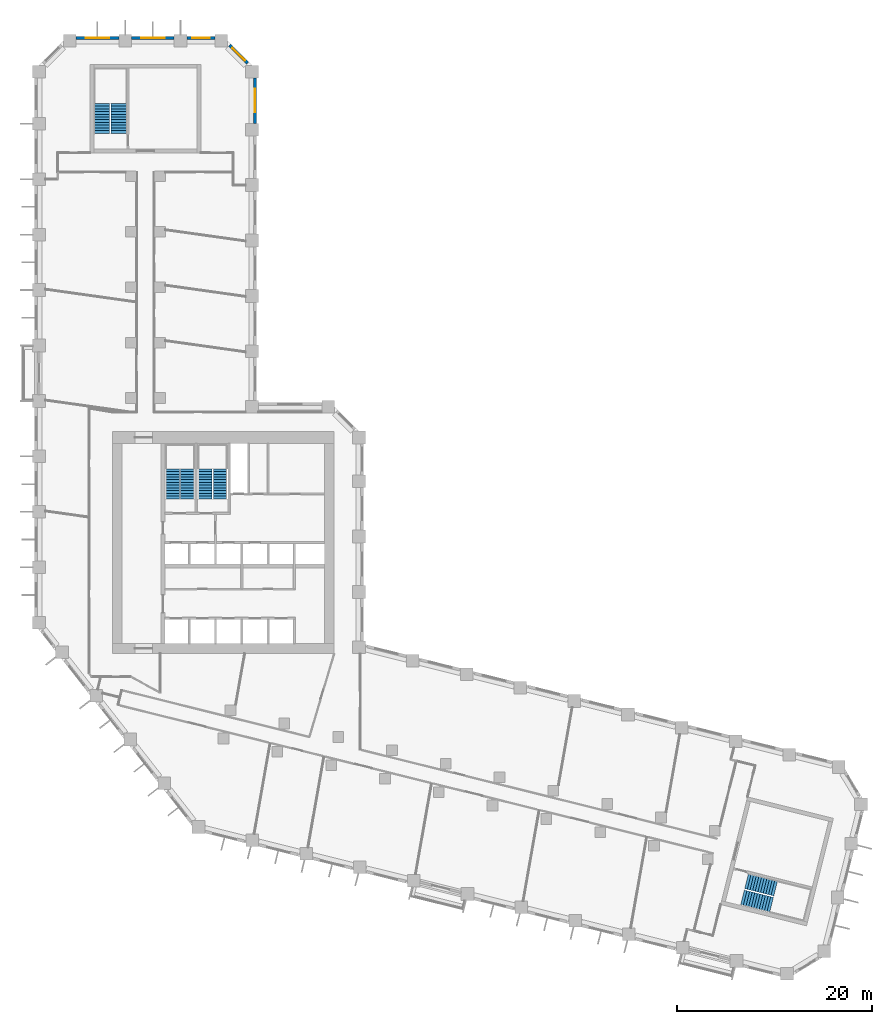
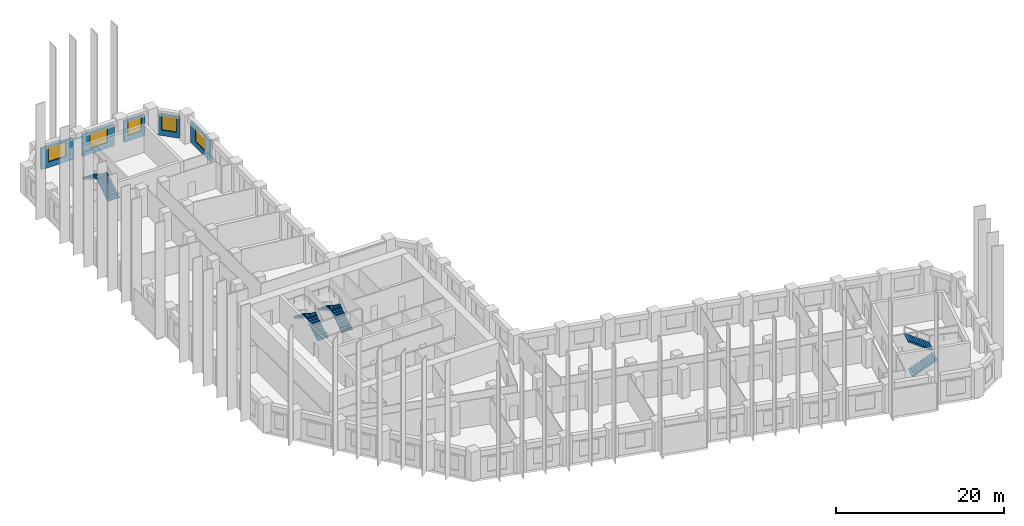
# One storey, part 9 of 10: 8 stair flights, 5 walls, 5 windows, 5 openings, 4 elements without a shape of their own.
"""IFC4 building model written with IfcOpenShell, lengths in metres."""

from ifc_helpers import new_model, si_unit, direction, frame, frame_2d, origin, place, context, subcontext, project, spatial, polyline, rectangle, outline, extrude, material, layer, layer_set, type_object, element, fill, aggregate, save


model = new_model("IFC4")

# Units and contexts
model_context = context("Model", 3, precision=1e-05, world=origin(), true_north=direction((0.0, 1.0)))
body_context = subcontext(model_context, "Body", "Model", "MODEL_VIEW")
ifc_project = project(units=[si_unit("LENGTHUNIT", "METRE"), si_unit("AREAUNIT", "SQUARE_METRE"), si_unit("VOLUMEUNIT", "CUBIC_METRE"), si_unit("PLANEANGLEUNIT", "RADIAN"), si_unit("MASSUNIT", "GRAM", prefix="KILO")], contexts=[model_context])

# Site, building, storey
site_placement = place(None, origin())
site = spatial("IfcSite", under=ifc_project, at=site_placement, CompositionType="ELEMENT")
building_placement = place(site_placement, origin())
building = spatial("IfcBuilding", under=site, at=building_placement, Name="Meshkara Civic Tower", CompositionType="ELEMENT")
storey_placement = place(building_placement, frame((0.0, 0.0, 114.0)))
storey = spatial("IfcBuildingStorey", under=building, at=storey_placement, Name="L25", CompositionType="ELEMENT", Elevation=114.0)

# Wall, opening, window
ifc_material_1 = material(Name="Insulated infill panel with bronze anodised aluminium cladding", Category="aluminium")
ifc_layer = layer(ifc_material_1, 0.300048828125)
ifc_layer_set = layer_set([ifc_layer], Name="EXTERNAL INFILL WALL 300")
wall_type = type_object("IfcWallType", Name="EXTERNAL INFILL WALL 300", PredefinedType="SOLIDWALL", material=ifc_layer_set)
wall_1_placement = place(storey_placement, frame((22.64990234375, 68.60009765625, 0.0), z_axis=(0.0, 0.0, 1.0), x_axis=(0.0, 1.0, 0.0)))
wall_1 = element("IfcWall", 1, at=wall_1_placement, inside=storey, type_object=wall_type, Name="External wall", PredefinedType="SOLIDWALL", context=body_context, shape_type="SweptSolid", body=[
    extrude(rectangle(XDim=4.663818359375, YDim=0.300048828125, at=frame_2d((2.33203125, 0.0))), origin(), (0.0, 0.0, 1.0), 3.10009765625),
])
opening_1_placement = place(wall_1_placement, frame((1.132080078125, 0.0, 0.800048828125)))
opening_1 = element("IfcOpeningElement", 2, at=opening_1_placement, cuts=wall_1, Name="Opening W7", PredefinedType="OPENING", context=body_context, shape_type="SweptSolid", body=[
    extrude(rectangle(XDim=2.39990234375, YDim=2.10009765625, at=frame_2d((1.199951171875, 1.050048828125))), frame((0.0, 0.159912109375, 0.0), z_axis=(0.0, -1.0, 0.0), x_axis=(1.0, 0.0, 0.0)), (0.0, 0.0, 1.0), 0.320068359375),
])
ifc_material_2 = material(Name="Tinted double glazing", Category="glass")
window_type_1 = type_object("IfcWindowType", Name="WINDOW 2400x2100", PartitioningType="DOUBLE_PANEL_VERTICAL", PredefinedType="WINDOW", material=ifc_material_2)
window_1_placement = place(opening_1_placement, origin())
window_1 = element("IfcWindow", 3, at=window_1_placement, inside=storey, type_object=window_type_1, Name="Window", OverallHeight=2.10009765625, OverallWidth=2.39990234375, PartitioningType="DOUBLE_PANEL_VERTICAL", PredefinedType="WINDOW", context=body_context, shape_type="SweptSolid", body=[
    extrude(rectangle(XDim=2.39990234375, YDim=2.10009765625, at=frame_2d((1.199951171875, 1.050048828125))), frame((0.0, 0.030029296875, 0.0), z_axis=(0.0, -1.0, 0.0), x_axis=(1.0, 0.0, 0.0)), (0.0, 0.0, 1.0), 0.06005859375),
])
fill(opening_1, window_1)

wall_2_placement = place(storey_placement, frame((21.912109375, 74.77587890625, 0.0), z_axis=(0.0, 0.0, 1.0), x_axis=(-0.707106781187, 0.707106781187, 0.0)))
wall_2 = element("IfcWall", 4, at=wall_2_placement, inside=storey, type_object=wall_type, Name="External wall", PredefinedType="SOLIDWALL", context=body_context, shape_type="SweptSolid", body=[
    extrude(rectangle(XDim=2.625, YDim=0.300048828125, at=frame_2d((1.3125, 0.0))), origin(), (0.0, 0.0, 1.0), 3.10009765625),
])
opening_2_placement = place(wall_2_placement, frame((0.412109375, 0.0, 0.800048828125)))
opening_2 = element("IfcOpeningElement", 5, at=opening_2_placement, cuts=wall_2, Name="Opening W9", PredefinedType="OPENING", context=body_context, shape_type="SweptSolid", body=[
    extrude(rectangle(XDim=1.800048828125, YDim=2.10009765625, at=frame_2d((0.89990234375, 1.050048828125))), frame((0.0, 0.159912109375, 0.0), z_axis=(0.0, -1.0, 0.0), x_axis=(1.0, 0.0, 0.0)), (0.0, 0.0, 1.0), 0.320068359375),
])
ifc_material_3 = material(Name="Tinted double glazing", Category="glass")
window_type_2 = type_object("IfcWindowType", Name="WINDOW 1800x2100", PartitioningType="DOUBLE_PANEL_VERTICAL", PredefinedType="WINDOW", material=ifc_material_3)
window_2_placement = place(opening_2_placement, origin())
window_2 = element("IfcWindow", 6, at=window_2_placement, inside=storey, type_object=window_type_2, Name="Window", OverallHeight=2.10009765625, OverallWidth=1.800048828125, PartitioningType="DOUBLE_PANEL_VERTICAL", PredefinedType="WINDOW", context=body_context, shape_type="SweptSolid", body=[
    extrude(rectangle(XDim=1.800048828125, YDim=2.10009765625, at=frame_2d((0.89990234375, 1.050048828125))), frame((0.0, 0.030029296875, 0.0), z_axis=(0.0, -1.0, 0.0), x_axis=(1.0, 0.0, 0.0)), (0.0, 0.0, 1.0), 0.06005859375),
])
fill(opening_2, window_2)

wall_3_placement = place(storey_placement, frame((18.5439453125, 77.3701171875, 0.0), z_axis=(0.0, 0.0, 1.0), x_axis=(-1.0, 0.0, 0.0)))
wall_3 = element("IfcWall", 7, at=wall_3_placement, inside=storey, type_object=wall_type, Name="External wall", PredefinedType="SOLIDWALL", context=body_context, shape_type="SweptSolid", body=[
    extrude(rectangle(XDim=2.887939453125, YDim=0.300048828125, at=frame_2d((1.44384765625, 0.0))), origin(), (0.0, 0.0, 1.0), 3.10009765625),
])
opening_3_placement = place(wall_3_placement, frame((0.5439453125, 0.0, 0.800048828125)))
opening_3 = element("IfcOpeningElement", 8, at=opening_3_placement, cuts=wall_3, Name="Opening W9", PredefinedType="OPENING", context=body_context, shape_type="SweptSolid", body=[
    extrude(rectangle(XDim=1.800048828125, YDim=2.10009765625, at=frame_2d((0.89990234375, 1.050048828125))), frame((0.0, 0.159912109375, 0.0), z_axis=(0.0, -1.0, 0.0), x_axis=(1.0, 0.0, 0.0)), (0.0, 0.0, 1.0), 0.320068359375),
])
window_3_placement = place(opening_3_placement, origin())
window_3 = element("IfcWindow", 9, at=window_3_placement, inside=storey, type_object=window_type_2, Name="Window", OverallHeight=2.10009765625, OverallWidth=1.800048828125, PartitioningType="DOUBLE_PANEL_VERTICAL", PredefinedType="WINDOW", context=body_context, shape_type="SweptSolid", body=[
    extrude(rectangle(XDim=1.800048828125, YDim=2.10009765625, at=frame_2d((0.89990234375, 1.050048828125))), frame((0.0, 0.030029296875, 0.0), z_axis=(0.0, -1.0, 0.0), x_axis=(1.0, 0.0, 0.0)), (0.0, 0.0, 1.0), 0.06005859375),
])
fill(opening_3, window_3)

wall_4_placement = place(storey_placement, frame((14.35595703125, 77.3701171875, 0.0), z_axis=(0.0, 0.0, 1.0), x_axis=(-1.0, 0.0, 0.0)))
wall_4 = element("IfcWall", 10, at=wall_4_placement, inside=storey, type_object=wall_type, Name="External wall", PredefinedType="SOLIDWALL", context=body_context, shape_type="SweptSolid", body=[
    extrude(rectangle(XDim=4.39990234375, YDim=0.300048828125, at=frame_2d((2.199951171875, 0.0))), origin(), (0.0, 0.0, 1.0), 3.10009765625),
])
opening_4_placement = place(wall_4_placement, frame((1.0, 0.0, 0.800048828125)))
opening_4 = element("IfcOpeningElement", 11, at=opening_4_placement, cuts=wall_4, Name="Opening W7", PredefinedType="OPENING", context=body_context, shape_type="SweptSolid", body=[
    extrude(rectangle(XDim=2.39990234375, YDim=2.10009765625, at=frame_2d((1.199951171875, 1.050048828125))), frame((0.0, 0.159912109375, 0.0), z_axis=(0.0, -1.0, 0.0), x_axis=(1.0, 0.0, 0.0)), (0.0, 0.0, 1.0), 0.320068359375),
])
window_4_placement = place(opening_4_placement, origin())
window_4 = element("IfcWindow", 12, at=window_4_placement, inside=storey, type_object=window_type_1, Name="Window", OverallHeight=2.10009765625, OverallWidth=2.39990234375, PartitioningType="DOUBLE_PANEL_VERTICAL", PredefinedType="WINDOW", context=body_context, shape_type="SweptSolid", body=[
    extrude(rectangle(XDim=2.39990234375, YDim=2.10009765625, at=frame_2d((1.199951171875, 1.050048828125))), frame((0.0, 0.030029296875, 0.0), z_axis=(0.0, -1.0, 0.0), x_axis=(1.0, 0.0, 0.0)), (0.0, 0.0, 1.0), 0.06005859375),
])
fill(opening_4, window_4)

wall_5_placement = place(storey_placement, frame((8.656005859375, 77.3701171875, 0.0), z_axis=(0.0, 0.0, 1.0), x_axis=(-1.0, 0.0, 0.0)))
wall_5 = element("IfcWall", 13, at=wall_5_placement, inside=storey, type_object=wall_type, Name="External wall", PredefinedType="SOLIDWALL", context=body_context, shape_type="SweptSolid", body=[
    extrude(rectangle(XDim=4.39990234375, YDim=0.300048828125, at=frame_2d((2.199951171875, 0.0))), origin(), (0.0, 0.0, 1.0), 3.10009765625),
])
opening_5_placement = place(wall_5_placement, frame((1.0, 0.0, 0.800048828125)))
opening_5 = element("IfcOpeningElement", 14, at=opening_5_placement, cuts=wall_5, Name="Opening W7", PredefinedType="OPENING", context=body_context, shape_type="SweptSolid", body=[
    extrude(rectangle(XDim=2.39990234375, YDim=2.10009765625, at=frame_2d((1.199951171875, 1.050048828125))), frame((0.0, 0.159912109375, 0.0), z_axis=(0.0, -1.0, 0.0), x_axis=(1.0, 0.0, 0.0)), (0.0, 0.0, 1.0), 0.320068359375),
])
window_5_placement = place(opening_5_placement, origin())
window_5 = element("IfcWindow", 15, at=window_5_placement, inside=storey, type_object=window_type_1, Name="Window", OverallHeight=2.10009765625, OverallWidth=2.39990234375, PartitioningType="DOUBLE_PANEL_VERTICAL", PredefinedType="WINDOW", context=body_context, shape_type="SweptSolid", body=[
    extrude(rectangle(XDim=2.39990234375, YDim=2.10009765625, at=frame_2d((1.199951171875, 1.050048828125))), frame((0.0, 0.030029296875, 0.0), z_axis=(0.0, -1.0, 0.0), x_axis=(1.0, 0.0, 0.0)), (0.0, 0.0, 1.0), 0.06005859375),
])
fill(opening_5, window_5)

# Stair, stair flights
ifc_material_4 = material(Name="Precast concrete C40/50", Category="concrete")
stair_type_1 = type_object("IfcStairType", Name="Exit stair half-turn 24 risers 1600 precast", PredefinedType="HALF_TURN_STAIR", material=ifc_material_4)
stair_1_placement = place(storey_placement, origin())
stair_1 = element("IfcStair", 16, at=stair_1_placement, inside=storey, type_object=stair_type_1, Name="L25 exit stair A from L20", PredefinedType="HALF_TURN_STAIR")
ifc_material_5 = material(Name="Precast concrete C40/50", Category="concrete")
stair_flight_type_1 = type_object("IfcStairFlightType", Name="Exit stair flight 12 risers 1600 precast", PredefinedType="STRAIGHT", material=ifc_material_5)
stair_flight_1_placement = place(storey_placement, frame((8.675048828125, 67.570068359375, 0.0), z_axis=(0.0, 0.0, 1.0), x_axis=(0.0, 1.0, 0.0)))
stair_flight_1 = element("IfcStairFlight", 17, at=stair_flight_1_placement, type_object=stair_flight_type_1, Name="ESA2 flight 1", NumberOfRisers=12, NumberOfTreads=11, PredefinedType="STRAIGHT", RiserHeight=0.175, TreadLength=0.28, context=body_context, shape_type="SweptSolid", body=[
    extrude(outline(polyline([(0.0, 0.0), (0.0, 0.175048828125), (0.280029296875, 0.175048828125), (0.280029296875, 0.35009765625), (0.56005859375, 0.35009765625), (0.56005859375, 0.52490234375), (0.840087890625, 0.52490234375), (0.840087890625, 0.699951171875), (1.1201171875, 0.699951171875), (1.1201171875, 0.875), (1.39990234375, 0.875), (1.39990234375, 1.050048828125), (1.679931640625, 1.050048828125), (1.679931640625, 1.22509765625), (1.9599609375, 1.22509765625), (1.9599609375, 1.39990234375), (2.239990234375, 1.39990234375), (2.239990234375, 1.574951171875), (2.52001953125, 1.574951171875), (2.52001953125, 1.75), (2.800048828125, 1.75), (2.800048828125, 1.925048828125), (3.080078125, 1.925048828125), (3.080078125, 2.10009765625), (3.080078125, 1.748291015625), (0.28271484375, 0.0), (0.0, 0.0)])), frame((0.0, 0.800048828125, 0.0), z_axis=(0.0, -1.0, 0.0), x_axis=(1.0, 0.0, 0.0)), (0.0, 0.0, 1.0), 1.60009765625),
])
stair_flight_2_placement = place(storey_placement, frame((6.925048828125, 70.64990234375, 2.10009765625), z_axis=(0.0, 0.0, 1.0), x_axis=(0.0, -1.0, 0.0)))
stair_flight_2 = element("IfcStairFlight", 18, at=stair_flight_2_placement, type_object=stair_flight_type_1, Name="ESA2 flight 2", NumberOfRisers=12, NumberOfTreads=11, PredefinedType="STRAIGHT", RiserHeight=0.175, TreadLength=0.28, context=body_context, shape_type="SweptSolid", body=[
    extrude(outline(polyline([(0.0, 0.0), (0.0, 0.175048828125), (0.280029296875, 0.175048828125), (0.280029296875, 0.35009765625), (0.56005859375, 0.35009765625), (0.56005859375, 0.52490234375), (0.840087890625, 0.52490234375), (0.840087890625, 0.699951171875), (1.1201171875, 0.699951171875), (1.1201171875, 0.875), (1.39990234375, 0.875), (1.39990234375, 1.050048828125), (1.679931640625, 1.050048828125), (1.679931640625, 1.22509765625), (1.9599609375, 1.22509765625), (1.9599609375, 1.39990234375), (2.239990234375, 1.39990234375), (2.239990234375, 1.574951171875), (2.52001953125, 1.574951171875), (2.52001953125, 1.75), (2.800048828125, 1.75), (2.800048828125, 1.925048828125), (3.080078125, 1.925048828125), (3.080078125, 2.10009765625), (3.080078125, 1.748291015625), (0.28271484375, 0.0), (0.0, 0.0)])), frame((0.0, 0.800048828125, 0.0), z_axis=(0.0, -1.0, 0.0), x_axis=(1.0, 0.0, 0.0)), (0.0, 0.0, 1.0), 1.60009765625),
])
aggregate(stair_1, [stair_flight_1, stair_flight_2])

stair_2_placement = place(storey_placement, origin())
stair_2 = element("IfcStair", 19, at=stair_2_placement, inside=storey, type_object=stair_type_1, Name="L25 exit stair B from L20", PredefinedType="HALF_TURN_STAIR")
stair_flight_3_placement = place(storey_placement, frame((72.7685546875, -11.00634765625, 0.0), z_axis=(0.0, 0.0, 1.0), x_axis=(0.970260066579, -0.242064873955, 0.0)))
stair_flight_3 = element("IfcStairFlight", 20, at=stair_flight_3_placement, type_object=stair_flight_type_1, Name="ESB2 flight 1", NumberOfRisers=12, NumberOfTreads=11, PredefinedType="STRAIGHT", RiserHeight=0.175, TreadLength=0.28, context=body_context, shape_type="SweptSolid", body=[
    extrude(outline(polyline([(0.0, 0.0), (0.0, 0.175048828125), (0.280029296875, 0.175048828125), (0.280029296875, 0.35009765625), (0.56005859375, 0.35009765625), (0.56005859375, 0.52490234375), (0.840087890625, 0.52490234375), (0.840087890625, 0.699951171875), (1.1201171875, 0.699951171875), (1.1201171875, 0.875), (1.39990234375, 0.875), (1.39990234375, 1.050048828125), (1.679931640625, 1.050048828125), (1.679931640625, 1.22509765625), (1.9599609375, 1.22509765625), (1.9599609375, 1.39990234375), (2.239990234375, 1.39990234375), (2.239990234375, 1.574951171875), (2.52001953125, 1.574951171875), (2.52001953125, 1.75), (2.800048828125, 1.75), (2.800048828125, 1.925048828125), (3.080078125, 1.925048828125), (3.080078125, 2.10009765625), (3.080078125, 1.748291015625), (0.28271484375, 0.0), (0.0, 0.0)])), frame((0.0, 0.800048828125, 0.0), z_axis=(0.0, -1.0, 0.0), x_axis=(1.0, 0.0, 0.0)), (0.0, 0.0, 1.0), 1.60009765625),
])
stair_flight_4_placement = place(storey_placement, frame((76.1806640625, -10.053955078125, 2.10009765625), z_axis=(0.0, 0.0, 1.0), x_axis=(-0.970260066579, 0.242064873955, 0.0)))
stair_flight_4 = element("IfcStairFlight", 21, at=stair_flight_4_placement, type_object=stair_flight_type_1, Name="ESB2 flight 2", NumberOfRisers=12, NumberOfTreads=11, PredefinedType="STRAIGHT", RiserHeight=0.175, TreadLength=0.28, context=body_context, shape_type="SweptSolid", body=[
    extrude(outline(polyline([(0.0, 0.0), (0.0, 0.175048828125), (0.280029296875, 0.175048828125), (0.280029296875, 0.35009765625), (0.56005859375, 0.35009765625), (0.56005859375, 0.52490234375), (0.840087890625, 0.52490234375), (0.840087890625, 0.699951171875), (1.1201171875, 0.699951171875), (1.1201171875, 0.875), (1.39990234375, 0.875), (1.39990234375, 1.050048828125), (1.679931640625, 1.050048828125), (1.679931640625, 1.22509765625), (1.9599609375, 1.22509765625), (1.9599609375, 1.39990234375), (2.239990234375, 1.39990234375), (2.239990234375, 1.574951171875), (2.52001953125, 1.574951171875), (2.52001953125, 1.75), (2.800048828125, 1.75), (2.800048828125, 1.925048828125), (3.080078125, 1.925048828125), (3.080078125, 2.10009765625), (3.080078125, 1.748291015625), (0.28271484375, 0.0), (0.0, 0.0)])), frame((0.0, 0.800048828125, 0.0), z_axis=(0.0, -1.0, 0.0), x_axis=(1.0, 0.0, 0.0)), (0.0, 0.0, 1.0), 1.60009765625),
])
aggregate(stair_2, [stair_flight_3, stair_flight_4])

ifc_material_6 = material(Name="Precast concrete C40/50", Category="concrete")
stair_type_2 = type_object("IfcStairType", Name="Exit stair half-turn 24 risers precast", PredefinedType="HALF_TURN_STAIR", material=ifc_material_6)
stair_3_placement = place(storey_placement, origin())
stair_3 = element("IfcStair", 22, at=stair_3_placement, inside=storey, type_object=stair_type_2, Name="L25 exit stair 1", PredefinedType="HALF_TURN_STAIR")
ifc_material_7 = material(Name="Precast concrete C40/50", Category="concrete")
stair_flight_type_2 = type_object("IfcStairFlightType", Name="Exit stair flight 12 risers precast", PredefinedType="STRAIGHT", material=ifc_material_7)
stair_flight_5_placement = place(storey_placement, frame((15.72509765625, 30.0, 0.0), z_axis=(0.0, 0.0, 1.0), x_axis=(0.0, 1.0, 0.0)))
stair_flight_5 = element("IfcStairFlight", 23, at=stair_flight_5_placement, type_object=stair_flight_type_2, Name="ST1 flight 1", NumberOfRisers=12, NumberOfTreads=11, PredefinedType="STRAIGHT", RiserHeight=0.175, TreadLength=0.28, context=body_context, shape_type="SweptSolid", body=[
    extrude(outline(polyline([(0.0, 0.0), (0.0, 0.175048828125), (0.280029296875, 0.175048828125), (0.280029296875, 0.35009765625), (0.56005859375, 0.35009765625), (0.56005859375, 0.52490234375), (0.840087890625, 0.52490234375), (0.840087890625, 0.699951171875), (1.1201171875, 0.699951171875), (1.1201171875, 0.875), (1.39990234375, 0.875), (1.39990234375, 1.050048828125), (1.679931640625, 1.050048828125), (1.679931640625, 1.22509765625), (1.9599609375, 1.22509765625), (1.9599609375, 1.39990234375), (2.239990234375, 1.39990234375), (2.239990234375, 1.574951171875), (2.52001953125, 1.574951171875), (2.52001953125, 1.75), (2.800048828125, 1.75), (2.800048828125, 1.925048828125), (3.080078125, 1.925048828125), (3.080078125, 2.10009765625), (3.080078125, 1.748291015625), (0.28271484375, 0.0), (0.0, 0.0)])), frame((0.0, 0.699951171875, 0.0), z_axis=(0.0, -1.0, 0.0), x_axis=(1.0, 0.0, 0.0)), (0.0, 0.0, 1.0), 1.39990234375),
])
stair_flight_6_placement = place(storey_placement, frame((14.175048828125, 33.080078125, 2.10009765625), z_axis=(0.0, 0.0, 1.0), x_axis=(0.0, -1.0, 0.0)))
stair_flight_6 = element("IfcStairFlight", 24, at=stair_flight_6_placement, type_object=stair_flight_type_2, Name="ST1 flight 2", NumberOfRisers=12, NumberOfTreads=11, PredefinedType="STRAIGHT", RiserHeight=0.175, TreadLength=0.28, context=body_context, shape_type="SweptSolid", body=[
    extrude(outline(polyline([(0.0, 0.0), (0.0, 0.175048828125), (0.280029296875, 0.175048828125), (0.280029296875, 0.35009765625), (0.56005859375, 0.35009765625), (0.56005859375, 0.52490234375), (0.840087890625, 0.52490234375), (0.840087890625, 0.699951171875), (1.1201171875, 0.699951171875), (1.1201171875, 0.875), (1.39990234375, 0.875), (1.39990234375, 1.050048828125), (1.679931640625, 1.050048828125), (1.679931640625, 1.22509765625), (1.9599609375, 1.22509765625), (1.9599609375, 1.39990234375), (2.239990234375, 1.39990234375), (2.239990234375, 1.574951171875), (2.52001953125, 1.574951171875), (2.52001953125, 1.75), (2.800048828125, 1.75), (2.800048828125, 1.925048828125), (3.080078125, 1.925048828125), (3.080078125, 2.10009765625), (3.080078125, 1.748291015625), (0.28271484375, 0.0), (0.0, 0.0)])), frame((0.0, 0.699951171875, 0.0), z_axis=(0.0, -1.0, 0.0), x_axis=(1.0, 0.0, 0.0)), (0.0, 0.0, 1.0), 1.39990234375),
])
aggregate(stair_3, [stair_flight_5, stair_flight_6])

stair_4_placement = place(storey_placement, origin())
stair_4 = element("IfcStair", 25, at=stair_4_placement, inside=storey, type_object=stair_type_2, Name="L25 exit stair 2", PredefinedType="HALF_TURN_STAIR")
stair_flight_7_placement = place(storey_placement, frame((19.074951171875, 30.0, 0.0), z_axis=(0.0, 0.0, 1.0), x_axis=(0.0, 1.0, 0.0)))
stair_flight_7 = element("IfcStairFlight", 26, at=stair_flight_7_placement, type_object=stair_flight_type_2, Name="ST2 flight 1", NumberOfRisers=12, NumberOfTreads=11, PredefinedType="STRAIGHT", RiserHeight=0.175, TreadLength=0.28, context=body_context, shape_type="SweptSolid", body=[
    extrude(outline(polyline([(0.0, 0.0), (0.0, 0.175048828125), (0.280029296875, 0.175048828125), (0.280029296875, 0.35009765625), (0.56005859375, 0.35009765625), (0.56005859375, 0.52490234375), (0.840087890625, 0.52490234375), (0.840087890625, 0.699951171875), (1.1201171875, 0.699951171875), (1.1201171875, 0.875), (1.39990234375, 0.875), (1.39990234375, 1.050048828125), (1.679931640625, 1.050048828125), (1.679931640625, 1.22509765625), (1.9599609375, 1.22509765625), (1.9599609375, 1.39990234375), (2.239990234375, 1.39990234375), (2.239990234375, 1.574951171875), (2.52001953125, 1.574951171875), (2.52001953125, 1.75), (2.800048828125, 1.75), (2.800048828125, 1.925048828125), (3.080078125, 1.925048828125), (3.080078125, 2.10009765625), (3.080078125, 1.748291015625), (0.28271484375, 0.0), (0.0, 0.0)])), frame((0.0, 0.699951171875, 0.0), z_axis=(0.0, -1.0, 0.0), x_axis=(1.0, 0.0, 0.0)), (0.0, 0.0, 1.0), 1.39990234375),
])
stair_flight_8_placement = place(storey_placement, frame((17.52490234375, 33.080078125, 2.10009765625), z_axis=(0.0, 0.0, 1.0), x_axis=(0.0, -1.0, 0.0)))
stair_flight_8 = element("IfcStairFlight", 27, at=stair_flight_8_placement, type_object=stair_flight_type_2, Name="ST2 flight 2", NumberOfRisers=12, NumberOfTreads=11, PredefinedType="STRAIGHT", RiserHeight=0.175, TreadLength=0.28, context=body_context, shape_type="SweptSolid", body=[
    extrude(outline(polyline([(0.0, 0.0), (0.0, 0.175048828125), (0.280029296875, 0.175048828125), (0.280029296875, 0.35009765625), (0.56005859375, 0.35009765625), (0.56005859375, 0.52490234375), (0.840087890625, 0.52490234375), (0.840087890625, 0.699951171875), (1.1201171875, 0.699951171875), (1.1201171875, 0.875), (1.39990234375, 0.875), (1.39990234375, 1.050048828125), (1.679931640625, 1.050048828125), (1.679931640625, 1.22509765625), (1.9599609375, 1.22509765625), (1.9599609375, 1.39990234375), (2.239990234375, 1.39990234375), (2.239990234375, 1.574951171875), (2.52001953125, 1.574951171875), (2.52001953125, 1.75), (2.800048828125, 1.75), (2.800048828125, 1.925048828125), (3.080078125, 1.925048828125), (3.080078125, 2.10009765625), (3.080078125, 1.748291015625), (0.28271484375, 0.0), (0.0, 0.0)])), frame((0.0, 0.699951171875, 0.0), z_axis=(0.0, -1.0, 0.0), x_axis=(1.0, 0.0, 0.0)), (0.0, 0.0, 1.0), 1.39990234375),
])
aggregate(stair_4, [stair_flight_7, stair_flight_8])

save(model, "model.ifc")
